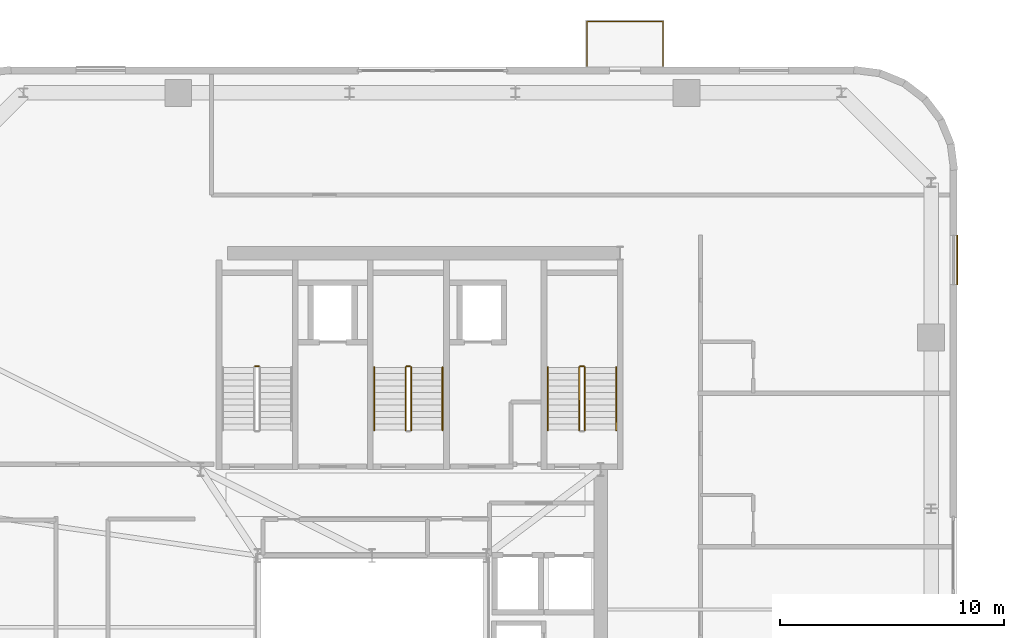
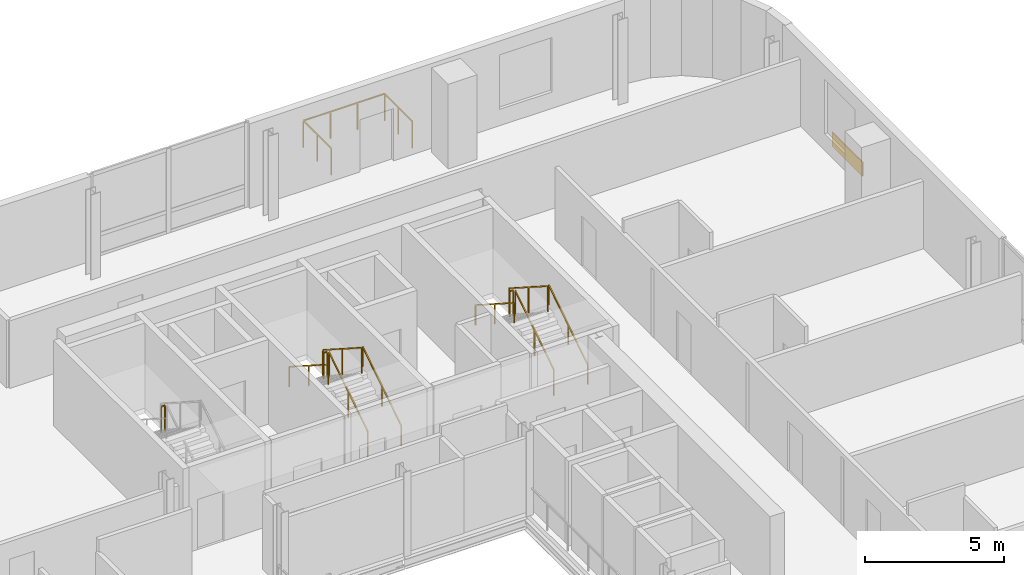
# One storey, part 15 of 15: 12 railings, 1 covering.
"""IFC4 building model written with IfcOpenShell, lengths in metres."""

import ifcopenshell
import ifcopenshell.guid

model = None  # the IFC model being written
_history = None  # IfcOwnerHistory: only IFC2X3 demands one
_inside = {}  # id of a spatial element -> (the spatial element, [elements in it])
_under = {}  # id of a project, library or spatial element -> (it, [spatial elements below it])
_declared = {}  # id of a project -> (the project, [libraries it declares])
_typed = {}  # id of a type object -> (the type object, [elements of that type])
_made_of = {}  # id of a material, layer set ... -> (it, [elements and type objects made of it])


def new_model(schema):
    """Start an empty IFC model of exactly this schema.

    Asked for "IFC4X3", IfcOpenShell would pick the latest addendum, in which some entities
    have other attributes; the version numbers below select the first issue.
    IFC2X3 requires an IfcOwnerHistory on every rooted entity: one is made here for all.
    """
    global model, _history
    if schema == "IFC4X3":
        model = ifcopenshell.file(schema_version=(4, 3, 0, 0))
    else:
        model = ifcopenshell.file(schema=schema)
    _inside.clear()
    _under.clear()
    _declared.clear()
    _typed.clear()
    _made_of.clear()
    _history = None
    if model.schema == "IFC2X3":
        org = make("IfcOrganization", Name="unknown")
        user = make(
            "IfcPersonAndOrganization",
            ThePerson=make("IfcPerson", FamilyName="unknown"),
            TheOrganization=org,
        )
        app = make(
            "IfcApplication",
            ApplicationDeveloper=org,
            Version="unknown",
            ApplicationFullName="unknown",
            ApplicationIdentifier="unknown",
        )
        _history = make(
            "IfcOwnerHistory",
            OwningUser=user,
            OwningApplication=app,
            ChangeAction="ADDED",
            CreationDate=0,
        )
    return model


def make(cls, **values):
    """One entity of the class cls with the attributes given. An attribute that is None is left unset."""
    return model.create_entity(
        cls, **{name: value for name, value in values.items() if value is not None}
    )


def rooted(cls, **values):
    """An entity with a GlobalId (a new one), such as an element, a storey or a relation."""
    return make(cls, GlobalId=ifcopenshell.guid.new(), OwnerHistory=_history, **values)


def si_unit(unit_type, name, prefix=None):
    """IfcSIUnit, for example si_unit("LENGTHUNIT", "METRE", prefix="MILLI")."""
    return make("IfcSIUnit", UnitType=unit_type, Prefix=prefix, Name=name)


def assignment(units):
    """IfcUnitAssignment: the units of a project."""
    return None if units is None else make("IfcUnitAssignment", Units=units)


def point(xyz):
    """IfcCartesianPoint."""
    return None if xyz is None else make("IfcCartesianPoint", Coordinates=xyz)


def direction(xyz):
    """IfcDirection."""
    return None if xyz is None else make("IfcDirection", DirectionRatios=xyz)


def frame(location, z_axis=None, x_axis=None):
    """IfcAxis2Placement3D, a coordinate frame: its origin and axes. An axis left out is left unset."""
    return make(
        "IfcAxis2Placement3D",
        Location=point(location),
        Axis=direction(z_axis),
        RefDirection=direction(x_axis),
    )


def frame_2d(location, x_axis=None):
    """IfcAxis2Placement2D, a coordinate frame in the plane: its origin and x axis."""
    return make(
        "IfcAxis2Placement2D", Location=point(location), RefDirection=direction(x_axis)
    )


def origin():
    """The frame at (0, 0, 0) with its axes left unset."""
    return frame((0.0, 0.0, 0.0))


def origin_2d():
    """The frame at (0, 0) in the plane with its x axis left unset."""
    return frame_2d((0.0, 0.0))


def place(relative_to, where):
    """IfcLocalPlacement: puts the frame where relative to a parent placement (None: the world)."""
    return make(
        "IfcLocalPlacement", PlacementRelTo=relative_to, RelativePlacement=where
    )


def context(
    kind, dimensions, precision=None, world=None, true_north=None, identifier=None
):
    """IfcGeometricRepresentationContext, for example the 3D "Model" context."""
    return make(
        "IfcGeometricRepresentationContext",
        ContextIdentifier=identifier,
        ContextType=kind,
        CoordinateSpaceDimension=dimensions,
        Precision=precision,
        WorldCoordinateSystem=world,
        TrueNorth=true_north,
    )


def subcontext(parent, identifier, kind, view, scale=None):
    """IfcGeometricRepresentationSubContext, for example "Body" below "Model"."""
    return make(
        "IfcGeometricRepresentationSubContext",
        ContextIdentifier=identifier,
        ContextType=kind,
        ParentContext=parent,
        TargetScale=scale,
        TargetView=view,
    )


def project(units=None, contexts=None):
    """IfcProject with its units and contexts."""
    return rooted(
        "IfcProject",
        Name="project",
        RepresentationContexts=contexts,
        UnitsInContext=assignment(units),
    )


def spatial(cls, under=None, at=None, **own):
    """A site, building, storey or space (cls), placed at a placement, below another one or the project."""
    s = rooted(cls, ObjectPlacement=at, **own)
    if under is not None:
        _under.setdefault(under.id(), (under, []))[1].append(s)
    return s


def profile(cls, at=None, kind="AREA", **sizes):
    """A parametric profile (cls). Its sizes go by their IFC names, for example OverallWidth=200.0."""
    return make(cls, ProfileType=kind, Position=at, **sizes)


def rectangle(**sizes):
    """IfcRectangleProfileDef."""
    return profile("IfcRectangleProfileDef", **sizes)


def extrude(swept, where, along, depth):
    """IfcExtrudedAreaSolid: the profile swept, set in the frame where, extruded along a direction by depth."""
    return make(
        "IfcExtrudedAreaSolid",
        SweptArea=swept,
        Position=where,
        ExtrudedDirection=direction(along),
        Depth=depth,
    )


def shape(context_of_items, identifier, shape_type, items):
    """IfcShapeRepresentation: the items that make up one representation, for example the "Body"."""
    return make(
        "IfcShapeRepresentation",
        ContextOfItems=context_of_items,
        RepresentationIdentifier=identifier,
        RepresentationType=shape_type,
        Items=items,
    )


def source(mapping_origin, context_of_items, identifier, shape_type, items):
    """IfcRepresentationMap: a shape defined once, which mapped items show again and again."""
    return make(
        "IfcRepresentationMap",
        MappingOrigin=mapping_origin,
        MappedRepresentation=shape(context_of_items, identifier, shape_type, items),
    )


def transform(
    local_origin,
    x_axis=None,
    y_axis=None,
    z_axis=None,
    scale=None,
    scale2=None,
    scale3=None,
    uniform=True,
):
    """IfcCartesianTransformationOperator3D, or its non-uniform kind. x_axis, y_axis, z_axis: its Axis1, 2, 3."""
    if uniform:
        return make(
            "IfcCartesianTransformationOperator3D",
            Axis1=direction(x_axis),
            Axis2=direction(y_axis),
            LocalOrigin=point(local_origin),
            Scale=scale,
            Axis3=direction(z_axis),
        )
    return make(
        "IfcCartesianTransformationOperator3DnonUniform",
        Axis1=direction(x_axis),
        Axis2=direction(y_axis),
        LocalOrigin=point(local_origin),
        Scale=scale,
        Axis3=direction(z_axis),
        Scale2=scale2,
        Scale3=scale3,
    )


def mapped(mapping_source, mapping_target):
    """IfcMappedItem: shows the shape of a source again, moved by a transform."""
    return make(
        "IfcMappedItem", MappingSource=mapping_source, MappingTarget=mapping_target
    )


def material(Name=None, Category=None):
    """IfcMaterial."""
    return make("IfcMaterial", Name=Name, Category=Category)


def layer(
    of_material, thickness, ventilated=None, Name=None, Category=None, Priority=None
):
    """IfcMaterialLayer: one layer of a wall or slab, of a material (None: an air gap)."""
    return make(
        "IfcMaterialLayer",
        Material=of_material,
        LayerThickness=thickness,
        IsVentilated=ventilated,
        Name=Name,
        Category=Category,
        Priority=Priority,
    )


def layer_set(layers, Name=None):
    """IfcMaterialLayerSet."""
    return make("IfcMaterialLayerSet", MaterialLayers=layers, LayerSetName=Name)


def made_of(thing, what):
    """Note that an element or type object is made of a material, layer set ...; save() writes the relation."""
    if what is not None:
        _made_of.setdefault(what.id(), (what, []))[1].append(thing)
    return thing


def type_object(cls, material=None, **own):
    """A type object (cls), such as IfcWallType, which elements share."""
    return made_of(rooted(cls, **own), material)


def element(
    cls,
    number,
    at=None,
    inside=None,
    cuts=None,
    type_object=None,
    material=None,
    context=None,
    identifier="Body",
    shape_type=None,
    held_by="IfcProductDefinitionShape",
    body=None,
    shapes=None,
    **own,
):
    """One element of the class cls, such as IfcWall. Its Tag is "e" and its number.

    at: its placement. inside: the storey or other place that contains it. cuts: it is an
    opening in that element (IfcRelVoidsElement). A single representation is given by context,
    identifier, shape_type and body (its items); several are given by shapes. held_by: the class
    of the entity that holds the representations. save() writes the other relations.
    """
    e = rooted(cls, Tag="e%d" % number, ObjectPlacement=at, **own)
    if body is not None:
        shapes = [shape(context, identifier, shape_type, body)]
    if shapes is not None:
        e.Representation = make(held_by, Representations=shapes)
    if inside is not None:
        _inside.setdefault(inside.id(), (inside, []))[1].append(e)
    if cuts is not None:
        rooted(
            "IfcRelVoidsElement", RelatingBuildingElement=cuts, RelatedOpeningElement=e
        )
    if type_object is not None:
        _typed.setdefault(type_object.id(), (type_object, []))[1].append(e)
    return made_of(e, material)


def aggregate(whole, parts):
    """IfcRelAggregates: a whole, such as a stair, and the parts it consists of."""
    return rooted("IfcRelAggregates", RelatingObject=whole, RelatedObjects=parts)


def save(model, path):
    """Write the relations noted so far, then the file.

    IfcRelAggregates (storeys below a building ...), IfcRelContainedInSpatialStructure (elements
    in a storey), IfcRelDefinesByType, IfcRelAssociatesMaterial and IfcRelDeclares: one each for
    every whole, place, type object, material and project.
    """
    for whole, parts in _under.values():
        aggregate(whole, parts)
    for where, things in _inside.values():
        rooted(
            "IfcRelContainedInSpatialStructure",
            RelatedElements=things,
            RelatingStructure=where,
        )
    for kind, things in _typed.values():
        rooted("IfcRelDefinesByType", RelatedObjects=things, RelatingType=kind)
    for what, things in _made_of.values():
        rooted("IfcRelAssociatesMaterial", RelatedObjects=things, RelatingMaterial=what)
    for by, libraries in _declared.values():
        rooted("IfcRelDeclares", RelatingContext=by, RelatedDefinitions=libraries)
    model.write(path)


model = new_model("IFC4")

# Units and contexts
model_context = context("Model", 3, precision=1e-05, world=origin(), true_north=direction((0.0, 1.0)))
body_context = subcontext(model_context, "Body", "Model", "MODEL_VIEW")
ifc_project = project(units=[si_unit("LENGTHUNIT", "METRE"), si_unit("AREAUNIT", "SQUARE_METRE"), si_unit("VOLUMEUNIT", "CUBIC_METRE"), si_unit("PLANEANGLEUNIT", "RADIAN"), si_unit("MASSUNIT", "GRAM", prefix="KILO")], contexts=[model_context])

# Site, building, storey
site_placement = place(None, origin())
site = spatial("IfcSite", under=ifc_project, at=site_placement, CompositionType="ELEMENT")
building_placement = place(site_placement, origin())
building = spatial("IfcBuilding", under=site, at=building_placement, Name="Vardaveli Station Tower", CompositionType="ELEMENT")
storey_placement = place(building_placement, frame((0.0, 0.0, 246.64990234375)))
storey = spatial("IfcBuildingStorey", under=building, at=storey_placement, Name="L63", CompositionType="ELEMENT", Elevation=246.64990234375)

# Covering
ifc_material_1 = material(Name="Ventilated honed travertine stone cladding", Category="masonry")
ifc_layer = layer(ifc_material_1, 0.044921875, Name="Ventilated honed travertine stone cladding")
ifc_layer_set = layer_set([ifc_layer], Name="Ventilated honed travertine stone cladding")
covering_type = type_object("IfcCoveringType", Name="COV-CLAD-TR45", PredefinedType="CLADDING", material=ifc_layer_set)
shared_shape_1 = source(origin(), body_context, "Body", "SweptSolid", [
    extrude(rectangle(XDim=2.199951171875, YDim=0.044921875, at=origin_2d()), origin(), (0.0, 0.0, 1.0), 0.6201171875),
])
covering_placement = place(storey_placement, frame((62.41455078125, 39.9951171875, 0.070068359375), z_axis=(0.0, 0.0, 1.0), x_axis=(0.0, 1.0, 0.0)))
element("IfcCovering", 1, at=covering_placement, inside=storey, type_object=covering_type, Name="CLD-TR-L63-E", PredefinedType="CLADDING", context=body_context, shape_type="MappedRepresentation", body=[
    mapped(shared_shape_1, transform((0.0, 0.0, 0.0), scale=1.0)),
])

# Railings
ifc_material_2 = material(Name="Laminated glass and stainless steel balustrade", Category="steel")
railing_type_1 = type_object("IfcRailingType", Name="RL-BAL-1200", PredefinedType="BALUSTRADE", material=ifc_material_2)
shared_shape_2 = source(origin(), body_context, "Body", "SweptSolid", [
    extrude(rectangle(XDim=0.048095703125, YDim=0.048095703125, at=origin_2d()), frame((0.0, 0.0, 1.17578125), z_axis=(0.0, 1.0, 0.0), x_axis=(-1.0, 0.0, 0.0)), (0.0, 0.0, 1.0), 2.0),
    extrude(rectangle(XDim=0.048095703125, YDim=0.048095703125, at=origin_2d()), frame((0.0, 2.0, 1.17578125), z_axis=(1.0, 0.0, 0.0), x_axis=(0.0, 1.0, 0.0)), (0.0, 0.0, 1.0), 3.3798828125),
    extrude(rectangle(XDim=0.048095703125, YDim=0.048095703125, at=origin_2d()), frame((3.3798828125, 2.0, 1.17578125), z_axis=(0.0, -1.0, 0.0), x_axis=(1.0, 0.0, 0.0)), (0.0, 0.0, 1.0), 2.0),
    extrude(rectangle(XDim=0.0419921875, YDim=0.0419921875, at=origin_2d()), origin(), (0.0, 0.0, 1.0), 1.15185546875),
    extrude(rectangle(XDim=0.0419921875, YDim=0.0419921875, at=origin_2d()), frame((0.0, 1.0, 0.0)), (0.0, 0.0, 1.0), 1.15185546875),
    extrude(rectangle(XDim=0.0419921875, YDim=0.0419921875, at=origin_2d()), frame((0.0, 2.0, 0.0)), (0.0, 0.0, 1.0), 1.15185546875),
    extrude(rectangle(XDim=0.0419921875, YDim=0.0419921875, at=origin_2d()), frame((1.126708984375, 2.0, 0.0)), (0.0, 0.0, 1.0), 1.15185546875),
    extrude(rectangle(XDim=0.0419921875, YDim=0.0419921875, at=origin_2d()), frame((2.253173828125, 2.0, 0.0)), (0.0, 0.0, 1.0), 1.15185546875),
    extrude(rectangle(XDim=0.0419921875, YDim=0.0419921875, at=origin_2d()), frame((3.3798828125, 2.0, 0.0)), (0.0, 0.0, 1.0), 1.15185546875),
    extrude(rectangle(XDim=0.0419921875, YDim=0.0419921875, at=origin_2d()), frame((3.3798828125, 1.0, 0.0)), (0.0, 0.0, 1.0), 1.15185546875),
    extrude(rectangle(XDim=0.0419921875, YDim=0.0419921875, at=origin_2d()), frame((3.3798828125, 0.0, 0.0)), (0.0, 0.0, 1.0), 1.15185546875),
])
railing_placement = place(storey_placement, frame((45.899658203125, 48.639892578125, 0.0)))
element("IfcRailing", 2, at=railing_placement, inside=storey, type_object=railing_type_1, Name="RL-LOG-L63-02", PredefinedType="BALUSTRADE", context=body_context, shape_type="MappedRepresentation", body=[
    mapped(shared_shape_2, transform((0.0, 0.0, 0.0), scale=1.0)),
])
ifc_material_3 = material(Name="Brushed AISI 316 stainless steel", Category="steel")
railing_type_2 = type_object("IfcRailingType", Name="RL-GUARD-1150", PredefinedType="GUARDRAIL", material=ifc_material_3)
shared_shape_3 = source(origin(), body_context, "Body", "SweptSolid", [
    extrude(rectangle(XDim=0.048095703125, YDim=0.048095703125, at=origin_2d()), frame((0.0, 0.0, 1.1259765625), z_axis=(-1.0, 0.0, 0.0), x_axis=(0.0, -1.0, 0.0)), (0.0, 0.0, 1.0), 0.14990234375),
    extrude(rectangle(XDim=0.0419921875, YDim=0.0419921875, at=origin_2d()), origin(), (0.0, 0.0, 1.0), 1.101806640625),
    extrude(rectangle(XDim=0.0419921875, YDim=0.0419921875, at=origin_2d()), frame((-0.14990234375, 0.0, 0.0)), (0.0, 0.0, 1.0), 1.101806640625),
])
for number, where, name in (
    (3, (31.25, 35.25, 1.97509765625), "L63 ST-1 stair guard 2"),
    (4, (38.0, 35.25, 1.97509765625), "L63 ST-2 stair guard 2"),
    (5, (45.75, 35.25, 1.97509765625), "L63 ST-3 stair guard 2"),
):
    element("IfcRailing", number, at=place(storey_placement, frame(where)), inside=storey, type_object=railing_type_2, Name=name, PredefinedType="GUARDRAIL", context=body_context, shape_type="MappedRepresentation", body=[
        mapped(shared_shape_3, transform((0.0, 0.0, 0.0), scale=1.0)),
    ])
shared_shape_4 = source(origin(), body_context, "Body", "SweptSolid", [
    extrude(rectangle(XDim=0.048095703125, YDim=0.048095703125, at=origin_2d()), frame((0.0, 0.0, 1.1259765625), z_axis=(0.0, 0.841809871826, 0.539774156196), x_axis=(-1.0, 0.0, 0.0)), (0.0, 0.0, 1.0), 3.326171875),
    extrude(rectangle(XDim=0.0419921875, YDim=0.0419921875, at=origin_2d()), origin(), (0.0, 0.0, 1.0), 1.101806640625),
    extrude(rectangle(XDim=0.0419921875, YDim=0.0419921875, at=origin_2d()), frame((0.0, 1.39990234375, 0.897705078125)), (0.0, 0.0, 1.0), 1.101806640625),
    extrude(rectangle(XDim=0.0419921875, YDim=0.0419921875, at=origin_2d()), frame((0.0, 2.800048828125, 1.79541015625)), (0.0, 0.0, 1.0), 1.101806640625),
])
for number, where, name in (
    (6, (38.050048828125, 32.39990234375, 0.1796875), "L63 ST-2 stair guard 1"),
    (7, (45.800048828125, 32.39990234375, 0.1796875), "L63 ST-3 stair guard 1"),
):
    element("IfcRailing", number, at=place(storey_placement, frame(where)), inside=storey, type_object=railing_type_2, Name=name, PredefinedType="GUARDRAIL", context=body_context, shape_type="MappedRepresentation", body=[
        mapped(shared_shape_4, transform((0.0, 0.0, 0.0), scale=1.0)),
    ])
railing_type_3 = type_object("IfcRailingType", Name="RL-HAND-900", PredefinedType="HANDRAIL", material=ifc_material_3)
shared_shape_5 = source(origin(), body_context, "Body", "SweptSolid", [
    extrude(rectangle(XDim=0.048095703125, YDim=0.048095703125, at=origin_2d()), frame((0.0, 0.0, 0.8759765625), z_axis=(0.0, 0.841809871826, 0.539774156196), x_axis=(-1.0, 0.0, 0.0)), (0.0, 0.0, 1.0), 3.326171875),
    extrude(rectangle(XDim=0.0419921875, YDim=0.0419921875, at=origin_2d()), origin(), (0.0, 0.0, 1.0), 0.851806640625),
    extrude(rectangle(XDim=0.0419921875, YDim=0.0419921875, at=origin_2d()), frame((0.0, 1.39990234375, 0.897705078125)), (0.0, 0.0, 1.0), 0.851806640625),
    extrude(rectangle(XDim=0.0419921875, YDim=0.0419921875, at=origin_2d()), frame((0.0, 2.800048828125, 1.79541015625)), (0.0, 0.0, 1.0), 0.851806640625),
])
for number, where, name in (
    (8, (39.449951171875, 32.39990234375, 0.1796875), "L63 ST-2 stair handrail 1"),
    (9, (47.199951171875, 32.39990234375, 0.1796875), "L63 ST-3 stair handrail 1"),
):
    element("IfcRailing", number, at=place(storey_placement, frame(where)), inside=storey, type_object=railing_type_3, Name=name, PredefinedType="HANDRAIL", context=body_context, shape_type="MappedRepresentation", body=[
        mapped(shared_shape_5, transform((0.0, 0.0, 0.0), scale=1.0)),
    ])
shared_shape_6 = source(origin(), body_context, "Body", "SweptSolid", [
    extrude(rectangle(XDim=0.048095703125, YDim=0.048095703125, at=origin_2d()), frame((0.0, 0.0, 1.1259765625), z_axis=(0.0, -0.841776520102, 0.539826166654), x_axis=(1.0, 0.0, 0.0)), (0.0, 0.0, 1.0), 3.326416015625),
    extrude(rectangle(XDim=0.0419921875, YDim=0.0419921875, at=origin_2d()), origin(), (0.0, 0.0, 1.0), 1.101806640625),
    extrude(rectangle(XDim=0.0419921875, YDim=0.0419921875, at=origin_2d()), frame((0.0, -1.39990234375, 0.89794921875)), (0.0, 0.0, 1.0), 1.101806640625),
    extrude(rectangle(XDim=0.0419921875, YDim=0.0419921875, at=origin_2d()), frame((0.0, -2.800048828125, 1.795654296875)), (0.0, 0.0, 1.0), 1.101806640625),
])
for number, where, name in (
    (10, (37.800048828125, 35.199951171875, 2.154541015625), "L63 ST-2 stair guard 3"),
    (11, (45.550048828125, 35.199951171875, 2.154541015625), "L63 ST-3 stair guard 3"),
):
    element("IfcRailing", number, at=place(storey_placement, frame(where)), inside=storey, type_object=railing_type_2, Name=name, PredefinedType="GUARDRAIL", context=body_context, shape_type="MappedRepresentation", body=[
        mapped(shared_shape_6, transform((0.0, 0.0, 0.0), scale=1.0)),
    ])
shared_shape_7 = source(origin(), body_context, "Body", "SweptSolid", [
    extrude(rectangle(XDim=0.048095703125, YDim=0.048095703125, at=origin_2d()), frame((0.0, 0.0, 0.8759765625), z_axis=(0.0, -0.841776520102, 0.539826166654), x_axis=(1.0, 0.0, 0.0)), (0.0, 0.0, 1.0), 3.326416015625),
    extrude(rectangle(XDim=0.0419921875, YDim=0.0419921875, at=origin_2d()), origin(), (0.0, 0.0, 1.0), 0.851806640625),
    extrude(rectangle(XDim=0.0419921875, YDim=0.0419921875, at=origin_2d()), frame((0.0, -1.39990234375, 0.89794921875)), (0.0, 0.0, 1.0), 0.851806640625),
    extrude(rectangle(XDim=0.0419921875, YDim=0.0419921875, at=origin_2d()), frame((0.0, -2.800048828125, 1.795654296875)), (0.0, 0.0, 1.0), 0.851806640625),
])
for number, where, name in (
    (12, (36.39990234375, 35.199951171875, 2.154541015625), "L63 ST-2 stair handrail 2"),
    (13, (44.14990234375, 35.199951171875, 2.154541015625), "L63 ST-3 stair handrail 2"),
):
    element("IfcRailing", number, at=place(storey_placement, frame(where)), inside=storey, type_object=railing_type_3, Name=name, PredefinedType="HANDRAIL", context=body_context, shape_type="MappedRepresentation", body=[
        mapped(shared_shape_7, transform((0.0, 0.0, 0.0), scale=1.0)),
    ])

save(model, "model.ifc")
